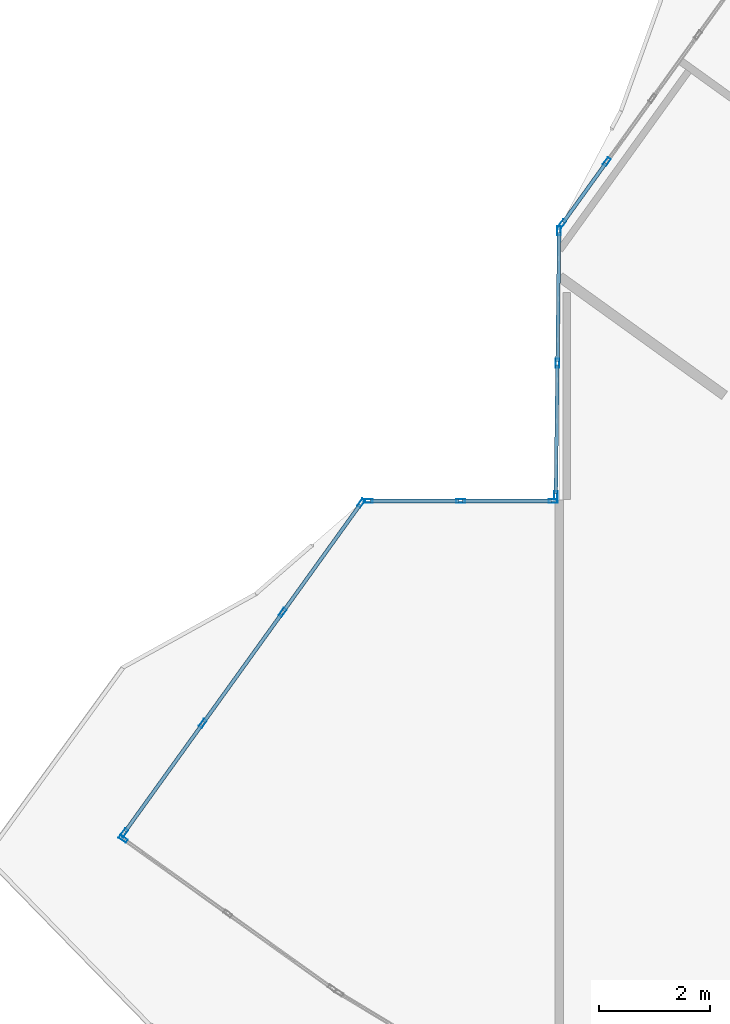
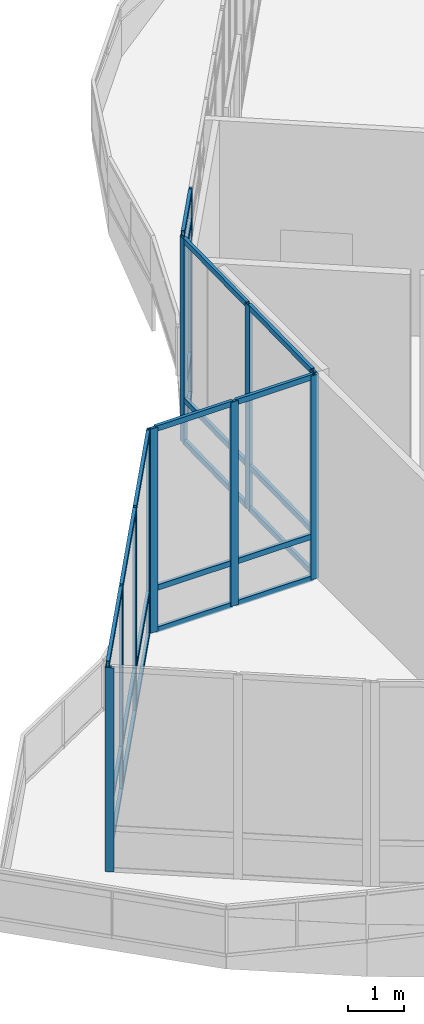
# One storey, part 16 of 155: 38 members, 5 elements without a shape of their own.
"""IFC4 building model written with IfcOpenShell, lengths in metres."""

from ifc_helpers import new_model, si_unit, direction, frame, origin, origin_2d, place, context, subcontext, project, spatial, hollow_rectangle, extrude, material, material_profile, profile_set, type_object, element, aggregate, save


model = new_model("IFC4")

# Units and contexts
model_context = context("Model", 3, precision=1e-05, world=origin(), true_north=direction((0.0, 1.0)))
body_context = subcontext(model_context, "Body", "Model", "MODEL_VIEW")
ifc_project = project(units=[si_unit("LENGTHUNIT", "METRE"), si_unit("AREAUNIT", "SQUARE_METRE"), si_unit("VOLUMEUNIT", "CUBIC_METRE"), si_unit("PLANEANGLEUNIT", "RADIAN"), si_unit("MASSUNIT", "GRAM", prefix="KILO")], contexts=[model_context])

# Site, building, storey
site_placement = place(None, origin())
site = spatial("IfcSite", under=ifc_project, at=site_placement, CompositionType="ELEMENT")
building_placement = place(site_placement, origin())
building = spatial("IfcBuilding", under=site, at=building_placement, Name="Selatvlak General Hospital", CompositionType="ELEMENT")
storey_placement = place(building_placement, frame((0.0, 0.0, 10.199951171875)))
storey = spatial("IfcBuildingStorey", under=building, at=storey_placement, Name="L02", CompositionType="ELEMENT", Elevation=10.199951171875)

# Curtain wall, member
ifc_material_1 = material(Name="Solar-control Low-E double glazing", Category="glass")
curtain_wall_type_1 = type_object("IfcCurtainWallType", Name="CW-CW-02", PredefinedType="USERDEFINED", material=ifc_material_1)
curtain_wall_1_placement = place(storey_placement, origin())
curtain_wall_1 = element("IfcCurtainWall", 1, at=curtain_wall_1_placement, inside=storey, type_object=curtain_wall_type_1, Name="Glazed facade curtain wall CW-L02-0314", ObjectType="UNITISED CURTAIN WALL", PredefinedType="USERDEFINED")
ifc_material_2 = material(Name="Dark anodised aluminium mullion", Category="aluminium")
ifc_material_profile_1 = material_profile(ifc_material_2, hollow_rectangle(XDim=0.06494140625, YDim=0.159912109375, WallThickness=0.00390625, at=origin_2d()), Name="AL-MUL 65x160x4")
ifc_profile_set_1 = profile_set([ifc_material_profile_1], Name="Dark anodised aluminium mullion")
member_type_1 = type_object("IfcMemberType", Name="CWM-01", PredefinedType="MULLION", material=ifc_profile_set_1)
member_1_placement = place(storey_placement, frame((14.95849609375, 25.923095703125, 0.0), z_axis=(0.0, 0.0, 1.0), x_axis=(-0.581802726189, -0.813329937847, 0.0)))
member_1 = element("IfcMember", 2, at=member_1_placement, type_object=member_type_1, Name="CW-02 mullion 3", PredefinedType="MULLION", context=body_context, shape_type="SweptSolid", body=[
    extrude(hollow_rectangle(XDim=0.06494140625, YDim=0.159912109375, WallThickness=0.00390625, at=origin_2d()), origin(), (0.0, 0.0, 1.0), 4.4599609375),
])
aggregate(curtain_wall_1, [member_1])

# Curtain wall, members
curtain_wall_type_2 = type_object("IfcCurtainWallType", Name="CW-CW-01", PredefinedType="USERDEFINED", material=ifc_material_1)
curtain_wall_2_placement = place(storey_placement, origin())
curtain_wall_2 = element("IfcCurtainWall", 3, at=curtain_wall_2_placement, inside=storey, type_object=curtain_wall_type_2, Name="Glazed facade curtain wall CW-L02-0315", ObjectType="UNITISED CURTAIN WALL", PredefinedType="USERDEFINED")
member_2_placement = place(storey_placement, frame((14.97705078125, 26.0302734375, 0.0), z_axis=(0.0, 0.0, 1.0), x_axis=(-0.811904820414, 0.583789827411, 0.0)))
member_2 = element("IfcMember", 4, at=member_2_placement, type_object=member_type_1, Name="CW-01 mullion 1", PredefinedType="MULLION", context=body_context, shape_type="SweptSolid", body=[
    extrude(hollow_rectangle(XDim=0.06494140625, YDim=0.159912109375, WallThickness=0.00390625, at=origin_2d()), origin(), (0.0, 0.0, 1.0), 4.4599609375),
])
member_3_placement = place(storey_placement, frame((16.39208984375, 27.998291015625, 0.0), z_axis=(0.0, 0.0, 1.0), x_axis=(-0.811904820414, 0.583789827411, 0.0)))
member_3 = element("IfcMember", 5, at=member_3_placement, type_object=member_type_1, Name="CW-01 mullion 2", PredefinedType="MULLION", context=body_context, shape_type="SweptSolid", body=[
    extrude(hollow_rectangle(XDim=0.06494140625, YDim=0.159912109375, WallThickness=0.00390625, at=origin_2d()), origin(), (0.0, 0.0, 1.0), 4.4599609375),
])
member_4_placement = place(storey_placement, frame((17.825927734375, 29.99267578125, 0.0), z_axis=(0.0, 0.0, 1.0), x_axis=(-0.811904820414, 0.583789827411, 0.0)))
member_4 = element("IfcMember", 6, at=member_4_placement, type_object=member_type_1, Name="CW-01 mullion 3", PredefinedType="MULLION", context=body_context, shape_type="SweptSolid", body=[
    extrude(hollow_rectangle(XDim=0.06494140625, YDim=0.159912109375, WallThickness=0.00390625, at=origin_2d()), origin(), (0.0, 0.0, 1.0), 4.4599609375),
])
member_5_placement = place(storey_placement, frame((19.240966796875, 31.960693359375, 0.0), z_axis=(0.0, 0.0, 1.0), x_axis=(-0.811904820414, 0.583789827411, 0.0)))
member_5 = element("IfcMember", 7, at=member_5_placement, type_object=member_type_1, Name="CW-01 mullion 4", PredefinedType="MULLION", context=body_context, shape_type="SweptSolid", body=[
    extrude(hollow_rectangle(XDim=0.06494140625, YDim=0.159912109375, WallThickness=0.00390625, at=origin_2d()), origin(), (0.0, 0.0, 1.0), 4.4599609375),
])

curtain_wall_3_placement = place(storey_placement, origin())
curtain_wall_3 = element("IfcCurtainWall", 8, at=curtain_wall_3_placement, inside=storey, type_object=curtain_wall_type_1, Name="Glazed facade curtain wall CW-L02-0316", ObjectType="UNITISED CURTAIN WALL", PredefinedType="USERDEFINED")
member_6_placement = place(storey_placement, frame((19.366455078125, 31.9990234375, 0.0), z_axis=(0.0, 0.0, 1.0), x_axis=(-0.000294898244, 0.999999956518, 0.0)))
member_6 = element("IfcMember", 9, at=member_6_placement, type_object=member_type_1, Name="CW-02 mullion 1", PredefinedType="MULLION", context=body_context, shape_type="SweptSolid", body=[
    extrude(hollow_rectangle(XDim=0.06494140625, YDim=0.159912109375, WallThickness=0.00390625, at=origin_2d()), origin(), (0.0, 0.0, 1.0), 4.4599609375),
])
member_7_placement = place(storey_placement, frame((21.029541015625, 31.99951171875, 0.0), z_axis=(0.0, 0.0, 1.0), x_axis=(-0.000294898244, 0.999999956518, 0.0)))
member_7 = element("IfcMember", 10, at=member_7_placement, type_object=member_type_1, Name="CW-02 mullion 2", PredefinedType="MULLION", context=body_context, shape_type="SweptSolid", body=[
    extrude(hollow_rectangle(XDim=0.06494140625, YDim=0.159912109375, WallThickness=0.00390625, at=origin_2d()), origin(), (0.0, 0.0, 1.0), 4.4599609375),
])
member_8_placement = place(storey_placement, frame((22.6923828125, 32.0, 0.0), z_axis=(0.0, 0.0, 1.0), x_axis=(-0.000294898244, 0.999999956518, 0.0)))
member_8 = element("IfcMember", 11, at=member_8_placement, type_object=member_type_1, Name="CW-02 mullion 3", PredefinedType="MULLION", context=body_context, shape_type="SweptSolid", body=[
    extrude(hollow_rectangle(XDim=0.06494140625, YDim=0.159912109375, WallThickness=0.00390625, at=origin_2d()), origin(), (0.0, 0.0, 1.0), 4.4599609375),
])

curtain_wall_4_placement = place(storey_placement, origin())
curtain_wall_4 = element("IfcCurtainWall", 12, at=curtain_wall_4_placement, inside=storey, type_object=curtain_wall_type_2, Name="Glazed facade curtain wall CW-L02-0317", ObjectType="UNITISED CURTAIN WALL", PredefinedType="USERDEFINED")
member_9_placement = place(storey_placement, frame((22.741455078125, 32.097412109375, 0.0), z_axis=(0.0, 0.0, 1.0), x_axis=(-0.999925308571, 0.012221999835, 0.0)))
member_9 = element("IfcMember", 13, at=member_9_placement, type_object=member_type_1, Name="CW-01 mullion 1", PredefinedType="MULLION", context=body_context, shape_type="SweptSolid", body=[
    extrude(hollow_rectangle(XDim=0.06494140625, YDim=0.159912109375, WallThickness=0.00390625, at=origin_2d()), origin(), (0.0, 0.0, 1.0), 4.4599609375),
])
member_10_placement = place(storey_placement, frame((22.7705078125, 34.478515625, 0.0), z_axis=(0.0, 0.0, 1.0), x_axis=(-0.999925308571, 0.012221999835, 0.0)))
member_10 = element("IfcMember", 14, at=member_10_placement, type_object=member_type_1, Name="CW-01 mullion 2", PredefinedType="MULLION", context=body_context, shape_type="SweptSolid", body=[
    extrude(hollow_rectangle(XDim=0.06494140625, YDim=0.159912109375, WallThickness=0.00390625, at=origin_2d()), origin(), (0.0, 0.0, 1.0), 4.4599609375),
])
member_11_placement = place(storey_placement, frame((22.799560546875, 36.859619140625, 0.0), z_axis=(0.0, 0.0, 1.0), x_axis=(-0.999925308571, 0.012221999835, 0.0)))
member_11 = element("IfcMember", 15, at=member_11_placement, type_object=member_type_1, Name="CW-01 mullion 3", PredefinedType="MULLION", context=body_context, shape_type="SweptSolid", body=[
    extrude(hollow_rectangle(XDim=0.06494140625, YDim=0.159912109375, WallThickness=0.00390625, at=origin_2d()), origin(), (0.0, 0.0, 1.0), 4.4599609375),
])

curtain_wall_5_placement = place(storey_placement, origin())
curtain_wall_5 = element("IfcCurtainWall", 16, at=curtain_wall_5_placement, inside=storey, type_object=curtain_wall_type_2, Name="Glazed facade curtain wall CW-L02-0319", ObjectType="UNITISED CURTAIN WALL", PredefinedType="USERDEFINED")
member_12_placement = place(storey_placement, frame((22.85693359375, 36.986328125, 0.0), z_axis=(0.0, 0.0, 1.0), x_axis=(-0.81180439095, 0.583929474196, 0.0)))
member_12 = element("IfcMember", 17, at=member_12_placement, type_object=member_type_1, Name="CW-01 mullion 1", PredefinedType="MULLION", context=body_context, shape_type="SweptSolid", body=[
    extrude(hollow_rectangle(XDim=0.06494140625, YDim=0.159912109375, WallThickness=0.00390625, at=origin_2d()), origin(), (0.0, 0.0, 1.0), 4.4599609375),
])
member_13_placement = place(storey_placement, frame((23.657958984375, 38.10009765625, 0.0), z_axis=(0.0, 0.0, 1.0), x_axis=(-0.81180439095, 0.583929474196, 0.0)))
member_13 = element("IfcMember", 18, at=member_13_placement, type_object=member_type_1, Name="CW-01 mullion 2", PredefinedType="MULLION", context=body_context, shape_type="SweptSolid", body=[
    extrude(hollow_rectangle(XDim=0.06494140625, YDim=0.159912109375, WallThickness=0.00390625, at=origin_2d()), origin(), (0.0, 0.0, 1.0), 4.4599609375),
])

# Member
ifc_material_profile_2 = material_profile(ifc_material_2, hollow_rectangle(XDim=0.06494140625, YDim=0.1201171875, WallThickness=0.00390625, at=origin_2d()), Name="AL-TRN 65x120x4")
ifc_profile_set_2 = profile_set([ifc_material_profile_2], Name="Dark anodised aluminium mullion")
member_type_2 = type_object("IfcMemberType", Name="CWT-01", PredefinedType="USERDEFINED", material=ifc_profile_set_2)
member_14_placement = place(storey_placement, frame((14.995849609375, 26.056884765625, 0.032470703125), z_axis=(0.583849294789, 0.811862057849, 0.0), x_axis=(-0.811862057849, 0.583849294789, 0.0)))
member_14 = element("IfcMember", 19, at=member_14_placement, type_object=member_type_2, Name="CW-01 transom 1.1", ObjectType="TRANSOM", PredefinedType="USERDEFINED", context=body_context, shape_type="SweptSolid", body=[
    extrude(hollow_rectangle(XDim=0.06494140625, YDim=0.1201171875, WallThickness=0.00390625, at=origin_2d()), origin(), (0.0, 0.0, 1.0), 2.35888671875),
])

member_15_placement = place(storey_placement, frame((14.995849609375, 26.056884765625, 0.949951171875), z_axis=(0.583849294789, 0.811862057849, 0.0), x_axis=(-0.811862057849, 0.583849294789, 0.0)))
member_15 = element("IfcMember", 20, at=member_15_placement, type_object=member_type_2, Name="CW-01 transom 1.2", ObjectType="TRANSOM", PredefinedType="USERDEFINED", context=body_context, shape_type="SweptSolid", body=[
    extrude(hollow_rectangle(XDim=0.06494140625, YDim=0.1201171875, WallThickness=0.00390625, at=origin_2d()), origin(), (0.0, 0.0, 1.0), 2.35888671875),
])

member_16_placement = place(storey_placement, frame((14.995849609375, 26.056884765625, 4.427490234375), z_axis=(0.583849294789, 0.811862057849, 0.0), x_axis=(-0.811862057849, 0.583849294789, 0.0)))
member_16 = element("IfcMember", 21, at=member_16_placement, type_object=member_type_2, Name="CW-01 transom 1.3", ObjectType="TRANSOM", PredefinedType="USERDEFINED", context=body_context, shape_type="SweptSolid", body=[
    extrude(hollow_rectangle(XDim=0.06494140625, YDim=0.1201171875, WallThickness=0.00390625, at=origin_2d()), origin(), (0.0, 0.0, 1.0), 2.35888671875),
])

member_17_placement = place(storey_placement, frame((16.410888671875, 28.024658203125, 0.032470703125), z_axis=(0.583823242974, 0.811880792336, 0.0), x_axis=(-0.811880792336, 0.583823242974, 0.0)))
member_17 = element("IfcMember", 22, at=member_17_placement, type_object=member_type_2, Name="CW-01 transom 2.1", ObjectType="TRANSOM", PredefinedType="USERDEFINED", context=body_context, shape_type="SweptSolid", body=[
    extrude(hollow_rectangle(XDim=0.06494140625, YDim=0.1201171875, WallThickness=0.00390625, at=origin_2d()), origin(), (0.0, 0.0, 1.0), 2.3916015625),
])

member_18_placement = place(storey_placement, frame((16.410888671875, 28.024658203125, 0.949951171875), z_axis=(0.583823242974, 0.811880792336, 0.0), x_axis=(-0.811880792336, 0.583823242974, 0.0)))
member_18 = element("IfcMember", 23, at=member_18_placement, type_object=member_type_2, Name="CW-01 transom 2.2", ObjectType="TRANSOM", PredefinedType="USERDEFINED", context=body_context, shape_type="SweptSolid", body=[
    extrude(hollow_rectangle(XDim=0.06494140625, YDim=0.1201171875, WallThickness=0.00390625, at=origin_2d()), origin(), (0.0, 0.0, 1.0), 2.3916015625),
])

member_19_placement = place(storey_placement, frame((16.410888671875, 28.024658203125, 4.427490234375), z_axis=(0.583823242974, 0.811880792336, 0.0), x_axis=(-0.811880792336, 0.583823242974, 0.0)))
member_19 = element("IfcMember", 24, at=member_19_placement, type_object=member_type_2, Name="CW-01 transom 2.3", ObjectType="TRANSOM", PredefinedType="USERDEFINED", context=body_context, shape_type="SweptSolid", body=[
    extrude(hollow_rectangle(XDim=0.06494140625, YDim=0.1201171875, WallThickness=0.00390625, at=origin_2d()), origin(), (0.0, 0.0, 1.0), 2.3916015625),
])

member_20_placement = place(storey_placement, frame((17.844970703125, 30.01904296875, 0.032470703125), z_axis=(0.583800237832, 0.811897334832, 0.0), x_axis=(-0.811897334832, 0.583800237832, 0.0)))
member_20 = element("IfcMember", 25, at=member_20_placement, type_object=member_type_2, Name="CW-01 transom 3.1", ObjectType="TRANSOM", PredefinedType="USERDEFINED", context=body_context, shape_type="SweptSolid", body=[
    extrude(hollow_rectangle(XDim=0.06494140625, YDim=0.1201171875, WallThickness=0.00390625, at=origin_2d()), origin(), (0.0, 0.0, 1.0), 2.359130859375),
])

member_21_placement = place(storey_placement, frame((17.844970703125, 30.01904296875, 0.949951171875), z_axis=(0.583800237832, 0.811897334832, 0.0), x_axis=(-0.811897334832, 0.583800237832, 0.0)))
member_21 = element("IfcMember", 26, at=member_21_placement, type_object=member_type_2, Name="CW-01 transom 3.2", ObjectType="TRANSOM", PredefinedType="USERDEFINED", context=body_context, shape_type="SweptSolid", body=[
    extrude(hollow_rectangle(XDim=0.06494140625, YDim=0.1201171875, WallThickness=0.00390625, at=origin_2d()), origin(), (0.0, 0.0, 1.0), 2.359130859375),
])

member_22_placement = place(storey_placement, frame((17.844970703125, 30.01904296875, 4.427490234375), z_axis=(0.583800237832, 0.811897334832, 0.0), x_axis=(-0.811897334832, 0.583800237832, 0.0)))
member_22 = element("IfcMember", 27, at=member_22_placement, type_object=member_type_2, Name="CW-01 transom 3.3", ObjectType="TRANSOM", PredefinedType="USERDEFINED", context=body_context, shape_type="SweptSolid", body=[
    extrude(hollow_rectangle(XDim=0.06494140625, YDim=0.1201171875, WallThickness=0.00390625, at=origin_2d()), origin(), (0.0, 0.0, 1.0), 2.359130859375),
])

aggregate(curtain_wall_2, [member_2, member_3, member_4, member_5, member_14, member_15, member_16, member_17, member_18, member_19, member_20, member_21, member_22])

member_23_placement = place(storey_placement, frame((19.39892578125, 31.9990234375, 0.032470703125), z_axis=(0.999999953326, 0.00030553008, 0.0), x_axis=(-0.00030553008, 0.999999953326, 0.0)))
member_23 = element("IfcMember", 28, at=member_23_placement, type_object=member_type_2, Name="CW-02 transom 1.1", ObjectType="TRANSOM", PredefinedType="USERDEFINED", context=body_context, shape_type="SweptSolid", body=[
    extrude(hollow_rectangle(XDim=0.06494140625, YDim=0.1201171875, WallThickness=0.00390625, at=origin_2d()), origin(), (0.0, 0.0, 1.0), 1.59814453125),
])

member_24_placement = place(storey_placement, frame((19.39892578125, 31.9990234375, 0.949951171875), z_axis=(0.999999953326, 0.00030553008, 0.0), x_axis=(-0.00030553008, 0.999999953326, 0.0)))
member_24 = element("IfcMember", 29, at=member_24_placement, type_object=member_type_2, Name="CW-02 transom 1.2", ObjectType="TRANSOM", PredefinedType="USERDEFINED", context=body_context, shape_type="SweptSolid", body=[
    extrude(hollow_rectangle(XDim=0.06494140625, YDim=0.1201171875, WallThickness=0.00390625, at=origin_2d()), origin(), (0.0, 0.0, 1.0), 1.59814453125),
])

member_25_placement = place(storey_placement, frame((19.39892578125, 31.9990234375, 4.427490234375), z_axis=(0.999999953326, 0.00030553008, 0.0), x_axis=(-0.00030553008, 0.999999953326, 0.0)))
member_25 = element("IfcMember", 30, at=member_25_placement, type_object=member_type_2, Name="CW-02 transom 1.3", ObjectType="TRANSOM", PredefinedType="USERDEFINED", context=body_context, shape_type="SweptSolid", body=[
    extrude(hollow_rectangle(XDim=0.06494140625, YDim=0.1201171875, WallThickness=0.00390625, at=origin_2d()), origin(), (0.0, 0.0, 1.0), 1.59814453125),
])

member_26_placement = place(storey_placement, frame((21.06201171875, 31.99951171875, 0.032470703125), z_axis=(0.999999953311, 0.000305576762, 0.0), x_axis=(-0.000305576762, 0.999999953311, 0.0)))
member_26 = element("IfcMember", 31, at=member_26_placement, type_object=member_type_2, Name="CW-02 transom 2.1", ObjectType="TRANSOM", PredefinedType="USERDEFINED", context=body_context, shape_type="SweptSolid", body=[
    extrude(hollow_rectangle(XDim=0.06494140625, YDim=0.1201171875, WallThickness=0.00390625, at=origin_2d()), origin(), (0.0, 0.0, 1.0), 1.597900390625),
])

member_27_placement = place(storey_placement, frame((21.06201171875, 31.99951171875, 0.949951171875), z_axis=(0.999999953311, 0.000305576762, 0.0), x_axis=(-0.000305576762, 0.999999953311, 0.0)))
member_27 = element("IfcMember", 32, at=member_27_placement, type_object=member_type_2, Name="CW-02 transom 2.2", ObjectType="TRANSOM", PredefinedType="USERDEFINED", context=body_context, shape_type="SweptSolid", body=[
    extrude(hollow_rectangle(XDim=0.06494140625, YDim=0.1201171875, WallThickness=0.00390625, at=origin_2d()), origin(), (0.0, 0.0, 1.0), 1.597900390625),
])

member_28_placement = place(storey_placement, frame((21.06201171875, 31.99951171875, 4.427490234375), z_axis=(0.999999953311, 0.000305576762, 0.0), x_axis=(-0.000305576762, 0.999999953311, 0.0)))
member_28 = element("IfcMember", 33, at=member_28_placement, type_object=member_type_2, Name="CW-02 transom 2.3", ObjectType="TRANSOM", PredefinedType="USERDEFINED", context=body_context, shape_type="SweptSolid", body=[
    extrude(hollow_rectangle(XDim=0.06494140625, YDim=0.1201171875, WallThickness=0.00390625, at=origin_2d()), origin(), (0.0, 0.0, 1.0), 1.597900390625),
])

aggregate(curtain_wall_3, [member_6, member_7, member_8, member_23, member_24, member_25, member_26, member_27, member_28])

member_29_placement = place(storey_placement, frame((22.74169921875, 32.1298828125, 0.032470703125), z_axis=(0.012226344433, 0.999925255458, 0.0), x_axis=(-0.999925255458, 0.012226344433, 0.0)))
member_29 = element("IfcMember", 34, at=member_29_placement, type_object=member_type_2, Name="CW-01 transom 1.1", ObjectType="TRANSOM", PredefinedType="USERDEFINED", context=body_context, shape_type="SweptSolid", body=[
    extrude(hollow_rectangle(XDim=0.06494140625, YDim=0.1201171875, WallThickness=0.00390625, at=origin_2d()), origin(), (0.0, 0.0, 1.0), 2.31640625),
])

member_30_placement = place(storey_placement, frame((22.74169921875, 32.1298828125, 0.949951171875), z_axis=(0.012226344433, 0.999925255458, 0.0), x_axis=(-0.999925255458, 0.012226344433, 0.0)))
member_30 = element("IfcMember", 35, at=member_30_placement, type_object=member_type_2, Name="CW-01 transom 1.2", ObjectType="TRANSOM", PredefinedType="USERDEFINED", context=body_context, shape_type="SweptSolid", body=[
    extrude(hollow_rectangle(XDim=0.06494140625, YDim=0.1201171875, WallThickness=0.00390625, at=origin_2d()), origin(), (0.0, 0.0, 1.0), 2.31640625),
])

member_31_placement = place(storey_placement, frame((22.74169921875, 32.1298828125, 4.427490234375), z_axis=(0.012226344433, 0.999925255458, 0.0), x_axis=(-0.999925255458, 0.012226344433, 0.0)))
member_31 = element("IfcMember", 36, at=member_31_placement, type_object=member_type_2, Name="CW-01 transom 1.3", ObjectType="TRANSOM", PredefinedType="USERDEFINED", context=body_context, shape_type="SweptSolid", body=[
    extrude(hollow_rectangle(XDim=0.06494140625, YDim=0.1201171875, WallThickness=0.00390625, at=origin_2d()), origin(), (0.0, 0.0, 1.0), 2.31640625),
])

member_32_placement = place(storey_placement, frame((22.77099609375, 34.510986328125, 0.032470703125), z_axis=(0.012227633123, 0.9999252397, 0.0), x_axis=(-0.9999252397, 0.012227633123, 0.0)))
member_32 = element("IfcMember", 37, at=member_32_placement, type_object=member_type_2, Name="CW-01 transom 2.1", ObjectType="TRANSOM", PredefinedType="USERDEFINED", context=body_context, shape_type="SweptSolid", body=[
    extrude(hollow_rectangle(XDim=0.06494140625, YDim=0.1201171875, WallThickness=0.00390625, at=origin_2d()), origin(), (0.0, 0.0, 1.0), 2.316162109375),
])

member_33_placement = place(storey_placement, frame((22.77099609375, 34.510986328125, 0.949951171875), z_axis=(0.012227633123, 0.9999252397, 0.0), x_axis=(-0.9999252397, 0.012227633123, 0.0)))
member_33 = element("IfcMember", 38, at=member_33_placement, type_object=member_type_2, Name="CW-01 transom 2.2", ObjectType="TRANSOM", PredefinedType="USERDEFINED", context=body_context, shape_type="SweptSolid", body=[
    extrude(hollow_rectangle(XDim=0.06494140625, YDim=0.1201171875, WallThickness=0.00390625, at=origin_2d()), origin(), (0.0, 0.0, 1.0), 2.316162109375),
])

member_34_placement = place(storey_placement, frame((22.77099609375, 34.510986328125, 4.427490234375), z_axis=(0.012227633123, 0.9999252397, 0.0), x_axis=(-0.9999252397, 0.012227633123, 0.0)))
member_34 = element("IfcMember", 39, at=member_34_placement, type_object=member_type_2, Name="CW-01 transom 2.3", ObjectType="TRANSOM", PredefinedType="USERDEFINED", context=body_context, shape_type="SweptSolid", body=[
    extrude(hollow_rectangle(XDim=0.06494140625, YDim=0.1201171875, WallThickness=0.00390625, at=origin_2d()), origin(), (0.0, 0.0, 1.0), 2.316162109375),
])

aggregate(curtain_wall_4, [member_9, member_10, member_11, member_29, member_30, member_31, member_32, member_33, member_34])

member_35_placement = place(storey_placement, frame((22.8759765625, 37.0126953125, 0.032470703125), z_axis=(0.583797710583, 0.811899152062, 0.0), x_axis=(-0.811899152062, 0.583797710583, 0.0)))
member_35 = element("IfcMember", 40, at=member_35_placement, type_object=member_type_2, Name="CW-01 transom 1.1", ObjectType="TRANSOM", PredefinedType="USERDEFINED", context=body_context, shape_type="SweptSolid", body=[
    extrude(hollow_rectangle(XDim=0.06494140625, YDim=0.1201171875, WallThickness=0.00390625, at=origin_2d()), origin(), (0.0, 0.0, 1.0), 1.306884765625),
])

member_36_placement = place(storey_placement, frame((22.8759765625, 37.0126953125, 0.900146484375), z_axis=(0.583797710583, 0.811899152062, 0.0), x_axis=(-0.811899152062, 0.583797710583, 0.0)))
member_36 = element("IfcMember", 41, at=member_36_placement, type_object=member_type_2, Name="CW-01 transom 1.2", ObjectType="TRANSOM", PredefinedType="USERDEFINED", context=body_context, shape_type="SweptSolid", body=[
    extrude(hollow_rectangle(XDim=0.06494140625, YDim=0.1201171875, WallThickness=0.00390625, at=origin_2d()), origin(), (0.0, 0.0, 1.0), 1.306884765625),
])

member_37_placement = place(storey_placement, frame((22.8759765625, 37.0126953125, 3.81005859375), z_axis=(0.583797710583, 0.811899152062, 0.0), x_axis=(-0.811899152062, 0.583797710583, 0.0)))
member_37 = element("IfcMember", 42, at=member_37_placement, type_object=member_type_2, Name="CW-01 transom 1.3", ObjectType="TRANSOM", PredefinedType="USERDEFINED", context=body_context, shape_type="SweptSolid", body=[
    extrude(hollow_rectangle(XDim=0.06494140625, YDim=0.1201171875, WallThickness=0.00390625, at=origin_2d()), origin(), (0.0, 0.0, 1.0), 1.306884765625),
])

member_38_placement = place(storey_placement, frame((22.8759765625, 37.0126953125, 4.427490234375), z_axis=(0.583797710583, 0.811899152062, 0.0), x_axis=(-0.811899152062, 0.583797710583, 0.0)))
member_38 = element("IfcMember", 43, at=member_38_placement, type_object=member_type_2, Name="CW-01 transom 1.4", ObjectType="TRANSOM", PredefinedType="USERDEFINED", context=body_context, shape_type="SweptSolid", body=[
    extrude(hollow_rectangle(XDim=0.06494140625, YDim=0.1201171875, WallThickness=0.00390625, at=origin_2d()), origin(), (0.0, 0.0, 1.0), 1.306884765625),
])

aggregate(curtain_wall_5, [member_12, member_13, member_35, member_36, member_37, member_38])

save(model, "model.ifc")
